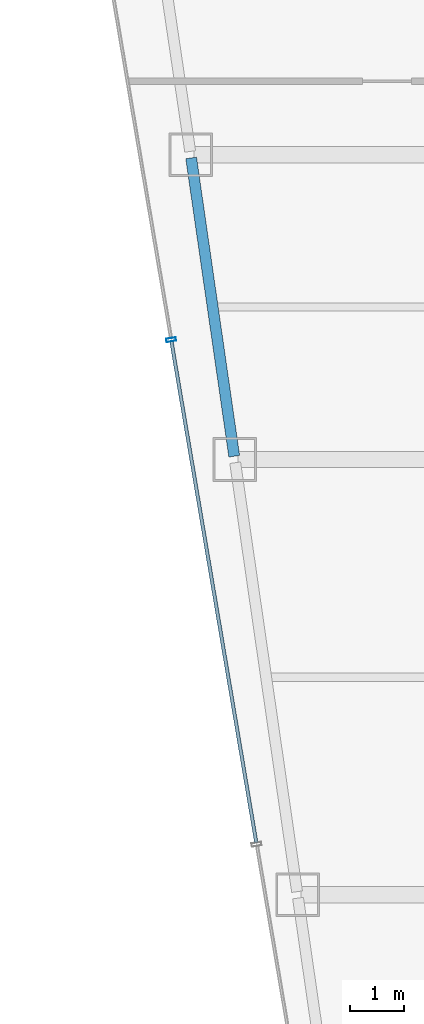
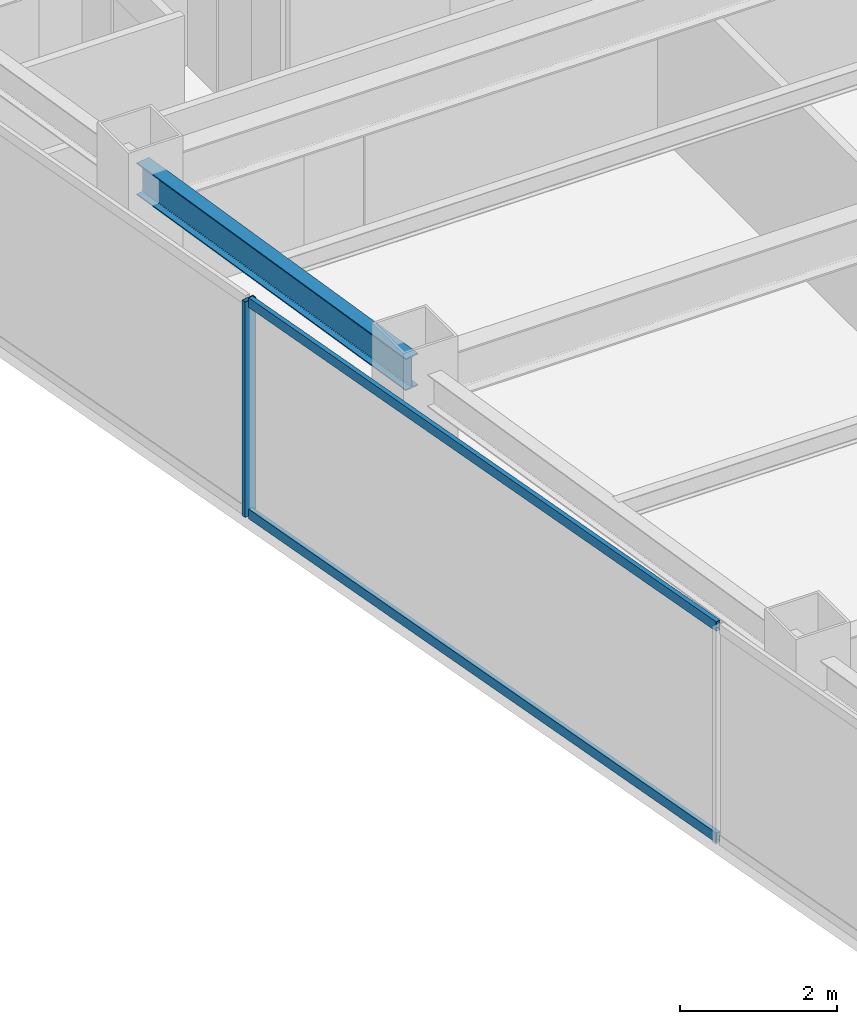
# One storey, part 9 of 34: 3 members, 1 beam, 1 element without a shape of its own.
"""IFC4 building model written with IfcOpenShell, lengths in metres."""

from ifc_helpers import new_model, si_unit, direction, frame, origin, origin_2d, place, context, subcontext, project, spatial, hollow_rectangle, i_section, extrude, material, material_profile, profile_set, type_object, element, aggregate, save


model = new_model("IFC4")

# Units and contexts
model_context = context("Model", 3, precision=1e-05, world=origin(), true_north=direction((0.0, 1.0)))
body_context = subcontext(model_context, "Body", "Model", "MODEL_VIEW")
ifc_project = project(units=[si_unit("LENGTHUNIT", "METRE"), si_unit("AREAUNIT", "SQUARE_METRE"), si_unit("VOLUMEUNIT", "CUBIC_METRE"), si_unit("PLANEANGLEUNIT", "RADIAN"), si_unit("MASSUNIT", "GRAM", prefix="KILO")], contexts=[model_context])

# Site, building, storey
site_placement = place(None, origin())
site = spatial("IfcSite", under=ifc_project, at=site_placement, CompositionType="ELEMENT")
building_placement = place(site_placement, origin())
building = spatial("IfcBuilding", under=site, at=building_placement, Name="Saevonmaru Cultural Tower", CompositionType="ELEMENT")
storey_placement = place(building_placement, frame((0.0, 0.0, 220.800048828125)))
storey = spatial("IfcBuildingStorey", under=building, at=storey_placement, Name="L51", CompositionType="ELEMENT", Elevation=220.800048828125)

# Beam
ifc_material_1 = material(Name="Steel SM355", Category="steel")
ifc_material_profile_1 = material_profile(ifc_material_1, i_section(OverallWidth=0.199951171875, OverallDepth=0.5, WebThickness=0.010009765625, FlangeThickness=0.01611328125, FilletRadius=0.02001953125, at=origin_2d()), Name="H-500x200x10x16")
ifc_profile_set_1 = profile_set([ifc_material_profile_1], Name="Steel SM355")
beam_type = type_object("IfcBeamType", Name="BM-SP-H500", PredefinedType="SPANDREL", material=ifc_profile_set_1)
beam_placement = place(storey_placement, frame((8.308349609375, 32.059326171875, 3.099853515625), z_axis=(-0.142964121327, 0.989727871697, 0.0), x_axis=(-0.989727871697, -0.142964121327, 0.0)))
element("IfcBeam", 1, at=beam_placement, inside=storey, type_object=beam_type, Name="L51 West Splayed Spandrel 3", PredefinedType="SPANDREL", context=body_context, shape_type="SweptSolid", body=[
    extrude(i_section(OverallWidth=0.199951171875, OverallDepth=0.5, WebThickness=0.010009765625, FlangeThickness=0.01611328125, FilletRadius=0.02001953125, at=origin_2d()), origin(), (0.0, 0.0, 1.0), 5.5380859375),
])

# Curtain wall, members
ifc_material_2 = material(Name="Satin Bronze Anodised Aluminium", Category="aluminium")
curtain_wall_type = type_object("IfcCurtainWallType", Name="CW-TYP-B", PredefinedType="NOTDEFINED", material=ifc_material_2)
curtain_wall_placement = place(storey_placement, origin())
curtain_wall = element("IfcCurtainWall", 2, at=curtain_wall_placement, inside=storey, type_object=curtain_wall_type, Name="L51 Unitised Curtain Wall E12", PredefinedType="NOTDEFINED")
ifc_material_profile_2 = material_profile(ifc_material_2, hollow_rectangle(XDim=0.06494140625, YDim=0.179931640625, WallThickness=0.00390625, at=origin_2d()), Name="ALU-MULL-180x65x4")
ifc_profile_set_2 = profile_set([ifc_material_profile_2], Name="Satin Bronze Anodised Aluminium")
member_type_1 = type_object("IfcMemberType", Name="ML-CW-180x65", PredefinedType="MULLION", material=ifc_profile_set_2)
member_1_placement = place(storey_placement, frame((7.14892578125, 34.199951171875, 0.0), z_axis=(0.0, 0.0, 1.0), x_axis=(0.16692169721, -0.985970155228, 0.0)))
member_1 = element("IfcMember", 3, at=member_1_placement, type_object=member_type_1, Name="CW-TW-L51-E12 mullion 3", PredefinedType="MULLION", context=body_context, shape_type="SweptSolid", body=[
    extrude(hollow_rectangle(XDim=0.06494140625, YDim=0.179931640625, WallThickness=0.00390625, at=origin_2d()), origin(), (0.0, 0.0, 1.0), 3.349853515625),
])
ifc_material_profile_3 = material_profile(ifc_material_2, hollow_rectangle(XDim=0.06494140625, YDim=0.14990234375, WallThickness=0.00390625, at=origin_2d()), Name="ALU-TRAN-150x65x4")
ifc_profile_set_3 = profile_set([ifc_material_profile_3], Name="Satin Bronze Anodised Aluminium")
member_type_2 = type_object("IfcMemberType", Name="TR-CW-150x65", PredefinedType="USERDEFINED", material=ifc_profile_set_3)
member_2_placement = place(storey_placement, frame((7.154296875, 34.16796875, 0.032470703125), z_axis=(0.166921263871, -0.985970228591, 0.0), x_axis=(0.985970228591, 0.166921263871, 0.0)))
member_2 = element("IfcMember", 4, at=member_2_placement, type_object=member_type_2, Name="CW-TW-L51-E12 transom 3.1", ObjectType="TRANSOM", PredefinedType="USERDEFINED", context=body_context, shape_type="SweptSolid", body=[
    extrude(hollow_rectangle(XDim=0.06494140625, YDim=0.14990234375, WallThickness=0.00390625, at=origin_2d()), origin(), (0.0, 0.0, 1.0), 9.33740234375),
])
member_3_placement = place(storey_placement, frame((7.154296875, 34.16796875, 3.3173828125), z_axis=(0.166921263871, -0.985970228591, 0.0), x_axis=(0.985970228591, 0.166921263871, 0.0)))
member_3 = element("IfcMember", 5, at=member_3_placement, type_object=member_type_2, Name="CW-TW-L51-E12 transom 3.2", ObjectType="TRANSOM", PredefinedType="USERDEFINED", context=body_context, shape_type="SweptSolid", body=[
    extrude(hollow_rectangle(XDim=0.06494140625, YDim=0.14990234375, WallThickness=0.00390625, at=origin_2d()), origin(), (0.0, 0.0, 1.0), 9.33740234375),
])
aggregate(curtain_wall, [member_1, member_2, member_3])

save(model, "model.ifc")
